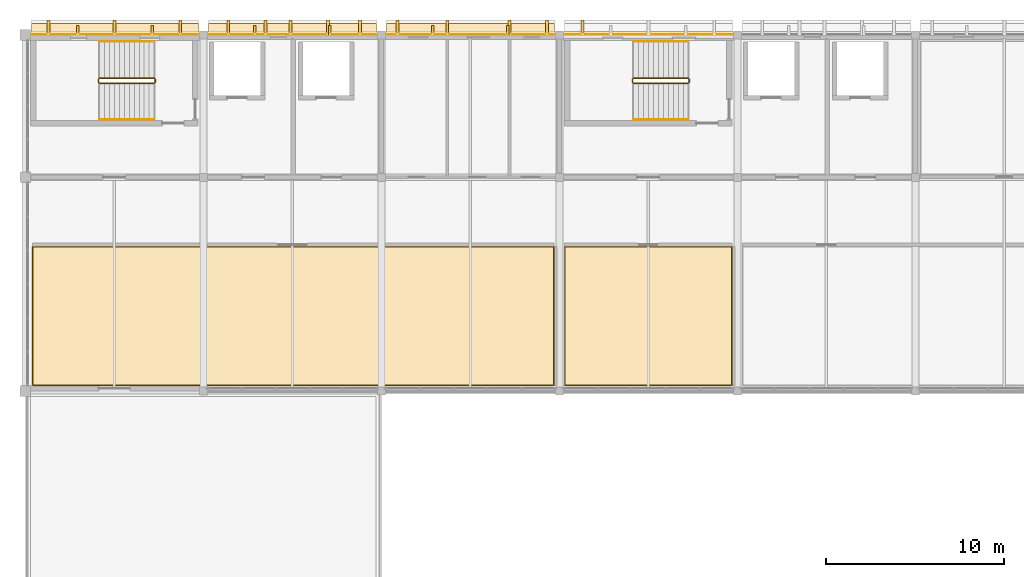
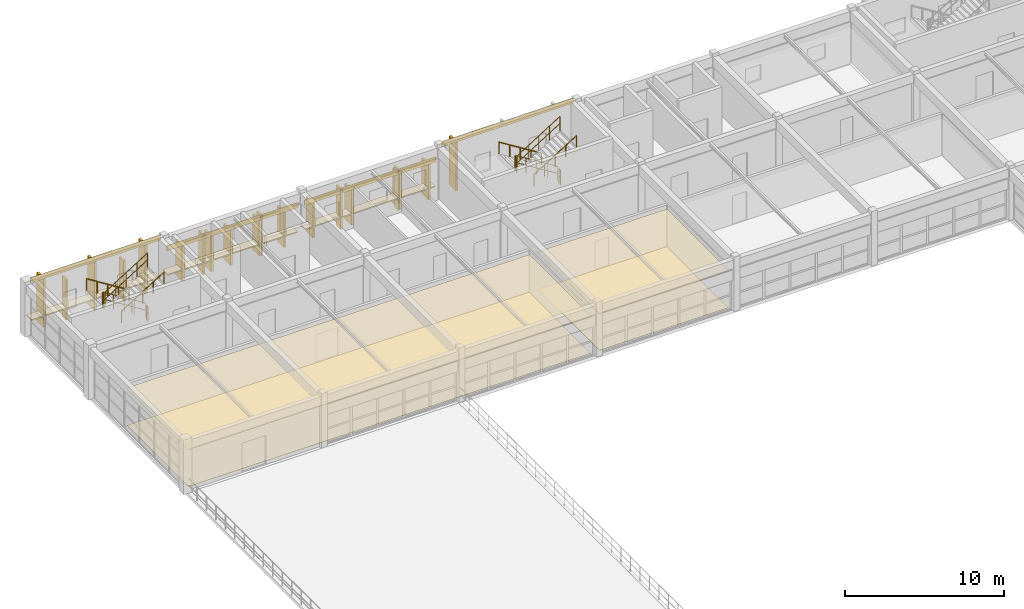
# One storey, part 19 of 21: 24 coverings, 12 railings, 6 shading devices.
"""IFC4 building model written with IfcOpenShell, lengths in metres."""

from ifc_helpers import new_model, si_unit, direction, frame, frame_2d, origin, origin_2d, place, context, subcontext, project, spatial, polyline, rectangle, circle, outline, extrude, material, layer, layer_set, type_object, element, save


model = new_model("IFC4")

# Units and contexts
model_context = context("Model", 3, precision=1e-05, world=origin(), true_north=direction((0.0, 1.0)))
body_context = subcontext(model_context, "Body", "Model", "MODEL_VIEW")
ifc_project = project(units=[si_unit("LENGTHUNIT", "METRE"), si_unit("AREAUNIT", "SQUARE_METRE"), si_unit("VOLUMEUNIT", "CUBIC_METRE"), si_unit("PLANEANGLEUNIT", "RADIAN"), si_unit("MASSUNIT", "GRAM", prefix="KILO")], contexts=[model_context])

# Site, building, storey
site_placement = place(None, origin())
site = spatial("IfcSite", under=ifc_project, at=site_placement, CompositionType="ELEMENT")
building_placement = place(site_placement, origin())
building = spatial("IfcBuilding", under=site, at=building_placement, Name="Kivolera Central Railway Station", CompositionType="ELEMENT")
storey_placement = place(building_placement, frame((0.0, 0.0, 22.800048828125)))
storey = spatial("IfcBuildingStorey", under=building, at=storey_placement, Name="L05", CompositionType="ELEMENT", Elevation=22.800048828125)

# Shading devices
ifc_material_1 = material(Name="Precast concrete C40/50", Category="concrete")
shading_device_type = type_object("IfcShadingDeviceType", Name="BS-FIN-UPP", PredefinedType="USERDEFINED", material=ifc_material_1)
for number, where, z_axis, x_axis, name in (
    (1, (120.950927734375, 134.26708984375, 0.0), (0.0, 0.0, 1.0), (1.0, 0.0, 0.0), "L05 North Brise-Soleil Fin 1.1"),
    (2, (125.1240234375, 134.26708984375, 0.0), (0.0, 0.0, 1.0), (1.0, 0.0, 0.0), "L05 North Brise-Soleil Fin 1.2"),
    (3, (130.89697265625, 134.26708984375, 0.0), (0.0, 0.0, 1.0), (1.0, 0.0, 0.0), "L05 North Brise-Soleil Fin 2.1"),
    (4, (135.10302734375, 134.26708984375, 0.0), (0.0, 0.0, 1.0), (1.0, 0.0, 0.0), "L05 North Brise-Soleil Fin 2.2"),
    (5, (140.89697265625, 134.26708984375, 0.0), (0.0, 0.0, 1.0), (1.0, 0.0, 0.0), "L05 North Brise-Soleil Fin 3.1"),
    (6, (145.10302734375, 134.26708984375, 0.0), (0.0, 0.0, 1.0), (1.0, 0.0, 0.0), "L05 North Brise-Soleil Fin 3.2"),
):
    element("IfcShadingDevice", number, at=place(storey_placement, frame(where, z_axis=z_axis, x_axis=x_axis)), inside=storey, type_object=shading_device_type, Name=name, ObjectType="FIN", PredefinedType="USERDEFINED", context=body_context, shape_type="SweptSolid", body=[
        extrude(rectangle(XDim=0.139892578125, YDim=0.550048828125, at=origin_2d()), origin(), (0.0, 0.0, 1.0), 3.10009765625),
    ])

# Coverings
ifc_material_2 = material(Name="Hardwood mvule timber", Category="wood")
ifc_layer_1 = layer(ifc_material_2, 0.02490234375, Name="Hardwood mvule timber")
ifc_layer_set_1 = layer_set([ifc_layer_1], Name="Hardwood mvule timber")
covering_type_1 = type_object("IfcCoveringType", Name="COV-CEIL-25", PredefinedType="CEILING", material=ifc_layer_set_1)
covering_1_placement = place(storey_placement, frame((0.0, 0.0, 2.849853515625)))
element("IfcCovering", 7, at=covering_1_placement, inside=storey, type_object=covering_type_1, Name="L05 Station Staff Canteen and Mess Cafe Acoustic Ceiling", PredefinedType="CEILING", context=body_context, shape_type="SweptSolid", body=[
    extrude(outline(polyline([(118.3798828125, 114.280029296875), (147.719970703125, 114.280029296875), (147.719970703125, 122.1201171875), (118.3798828125, 122.1201171875), (118.3798828125, 114.280029296875)])), origin(), (0.0, 0.0, 1.0), 0.025146484375),
])
ifc_material_3 = material(Name="Mineral fibre acoustic tile")
ifc_layer_2 = layer(ifc_material_3, 0.030029296875, Name="Mineral fibre acoustic tile")
ifc_layer_set_2 = layer_set([ifc_layer_2], Name="Mineral fibre acoustic tile")
covering_type_2 = type_object("IfcCoveringType", Name="COV-CEIL-30", PredefinedType="CEILING", material=ifc_layer_set_2)
covering_2_placement = place(storey_placement, frame((0.0, 0.0, 2.849853515625)))
element("IfcCovering", 8, at=covering_2_placement, inside=storey, type_object=covering_type_2, Name="L05 Staff Canteen Culinary Studio Acoustic Ceiling", PredefinedType="CEILING", context=body_context, shape_type="SweptSolid", body=[
    extrude(outline(polyline([(148.280029296875, 114.280029296875), (157.719970703125, 114.280029296875), (157.719970703125, 122.1201171875), (148.280029296875, 122.1201171875), (148.280029296875, 114.280029296875)])), origin(), (0.0, 0.0, 1.0), 0.030029296875),
])
ifc_layer_3 = layer(ifc_material_1, 0.090087890625, Name="Precast concrete C40/50")
ifc_layer_set_3 = layer_set([ifc_layer_3], Name="Precast concrete C40/50")
covering_type_3 = type_object("IfcCoveringType", Name="COV-CLAUSTRA-90", PredefinedType="CLADDING", material=ifc_layer_set_3)
covering_3_placement = place(storey_placement, frame((123.037109375, 134.31298828125, 0.85498046875), z_axis=(0.0, 0.0, 1.0), x_axis=(1.0, 0.0, 0.0)))
element("IfcCovering", 9, at=covering_3_placement, inside=storey, type_object=covering_type_3, Name="L05 North Precast Egg-Crate Sill Shelf 1", PredefinedType="CLADDING", context=body_context, shape_type="SweptSolid", body=[
    extrude(rectangle(XDim=9.364990234375, YDim=0.64990234375, at=origin_2d()), origin(), (0.0, 0.0, 1.0), 0.090087890625),
])
for number, where, z_axis, x_axis, name in (
    (10, (133.0, 134.31298828125, 0.85498046875), (0.0, 0.0, 1.0), (1.0, 0.0, 0.0), "L05 North Precast Egg-Crate Sill Shelf 2"),
    (11, (143.0, 134.31298828125, 0.85498046875), (0.0, 0.0, 1.0), (1.0, 0.0, 0.0), "L05 North Precast Egg-Crate Sill Shelf 3"),
):
    element("IfcCovering", number, at=place(storey_placement, frame(where, z_axis=z_axis, x_axis=x_axis)), inside=storey, type_object=covering_type_3, Name=name, PredefinedType="CLADDING", context=body_context, shape_type="SweptSolid", body=[
        extrude(rectangle(XDim=9.43994140625, YDim=0.64990234375, at=origin_2d()), origin(), (0.0, 0.0, 1.0), 0.090087890625),
    ])
ifc_material_4 = material(Name="Swahili coral limestone", Category="masonry")
ifc_layer_4 = layer(ifc_material_4, 0.159912109375, Name="Swahili coral limestone")
ifc_layer_set_4 = layer_set([ifc_layer_4], Name="Swahili coral limestone")
covering_type_4 = type_object("IfcCoveringType", Name="COV-EGGFIN-160", PredefinedType="CLADDING", material=ifc_layer_set_4)
for number, where, z_axis, x_axis, name in (
    (12, (119.300048828125, 134.4130859375, 0.0400390625), (0.0, 0.0, 1.0), (1.0, 0.0, 0.0), "L05 North Afro-Modernist Coral-Stone Sun-Fin 1.1"),
    (13, (123.0, 134.4130859375, 0.0400390625), (0.0, 0.0, 1.0), (1.0, 0.0, 0.0), "L05 North Afro-Modernist Coral-Stone Sun-Fin 1.2"),
    (14, (126.699951171875, 134.4130859375, 0.0400390625), (0.0, 0.0, 1.0), (1.0, 0.0, 0.0), "L05 North Afro-Modernist Coral-Stone Sun-Fin 1.3"),
):
    element("IfcCovering", number, at=place(storey_placement, frame(where, z_axis=z_axis, x_axis=x_axis)), inside=storey, type_object=covering_type_4, Name=name, PredefinedType="CLADDING", context=body_context, shape_type="SweptSolid", body=[
        extrude(rectangle(XDim=0.159912109375, YDim=0.85009765625, at=origin_2d()), origin(), (0.0, 0.0, 1.0), 3.719970703125),
    ])
for number, where, z_axis, x_axis, name in (
    (15, (129.39990234375, 134.4130859375, 0.0400390625), (0.0, 0.0, 1.0), (1.0, 0.0, 0.0), "L05 North Afro-Modernist Coral-Stone Sun-Fin 2.1"),
    (16, (131.5, 134.4130859375, 0.0400390625), (0.0, 0.0, 1.0), (1.0, 0.0, 0.0), "L05 North Afro-Modernist Coral-Stone Sun-Fin 2.2"),
    (17, (132.89990234375, 134.4130859375, 0.0400390625), (0.0, 0.0, 1.0), (1.0, 0.0, 0.0), "L05 North Afro-Modernist Coral-Stone Sun-Fin 2.3"),
    (18, (135.0, 134.4130859375, 0.0400390625), (0.0, 0.0, 1.0), (1.0, 0.0, 0.0), "L05 North Afro-Modernist Coral-Stone Sun-Fin 2.4"),
    (19, (136.800048828125, 134.4130859375, 0.0400390625), (0.0, 0.0, 1.0), (1.0, 0.0, 0.0), "L05 North Afro-Modernist Coral-Stone Sun-Fin 2.5"),
    (20, (138.89990234375, 134.4130859375, 0.0400390625), (0.0, 0.0, 1.0), (1.0, 0.0, 0.0), "L05 North Afro-Modernist Coral-Stone Sun-Fin 3.1"),
    (21, (141.699951171875, 134.4130859375, 0.0400390625), (0.0, 0.0, 1.0), (1.0, 0.0, 0.0), "L05 North Afro-Modernist Coral-Stone Sun-Fin 3.2"),
    (22, (145.199951171875, 134.4130859375, 0.0400390625), (0.0, 0.0, 1.0), (1.0, 0.0, 0.0), "L05 North Afro-Modernist Coral-Stone Sun-Fin 3.3"),
    (23, (147.300048828125, 134.4130859375, 0.0400390625), (0.0, 0.0, 1.0), (1.0, 0.0, 0.0), "L05 North Afro-Modernist Coral-Stone Sun-Fin 3.4"),
):
    element("IfcCovering", number, at=place(storey_placement, frame(where, z_axis=z_axis, x_axis=x_axis)), inside=storey, type_object=covering_type_4, Name=name, PredefinedType="CLADDING", context=body_context, shape_type="SweptSolid", body=[
        extrude(rectangle(XDim=0.159912109375, YDim=0.85009765625, at=origin_2d()), origin(), (0.0, 0.0, 1.0), 2.7080078125),
    ])
covering_4_placement = place(storey_placement, frame((149.300048828125, 134.4130859375, 0.0400390625), z_axis=(0.0, 0.0, 1.0), x_axis=(1.0, 0.0, 0.0)))
element("IfcCovering", 24, at=covering_4_placement, inside=storey, type_object=covering_type_4, Name="L05 North Afro-Modernist Coral-Stone Sun-Fin 4.1", PredefinedType="CLADDING", context=body_context, shape_type="SweptSolid", body=[
    extrude(rectangle(XDim=0.159912109375, YDim=0.85009765625, at=origin_2d()), origin(), (0.0, 0.0, 1.0), 3.719970703125),
])
ifc_material_5 = material(Name="Terracotta clay tile", Category="masonry")
ifc_layer_5 = layer(ifc_material_5, 0.02197265625, Name="Terracotta clay tile")
ifc_layer_set_5 = layer_set([ifc_layer_5], Name="Terracotta clay tile")
covering_type_5 = type_object("IfcCoveringType", Name="COV-FLR-22", PredefinedType="FLOORING", material=ifc_layer_set_5)
covering_5_placement = place(storey_placement, origin())
element("IfcCovering", 25, at=covering_5_placement, inside=storey, type_object=covering_type_5, Name="L05 Station Staff Canteen and Mess Cafe Floor Finish", PredefinedType="FLOORING", context=body_context, shape_type="SweptSolid", body=[
    extrude(outline(polyline([(118.419921875, 114.320068359375), (147.679931640625, 114.320068359375), (147.679931640625, 122.080078125), (118.419921875, 122.080078125), (118.419921875, 114.320068359375)])), origin(), (0.0, 0.0, 1.0), 0.02197265625),
])
covering_6_placement = place(storey_placement, origin())
element("IfcCovering", 26, at=covering_6_placement, inside=storey, type_object=covering_type_5, Name="L05 Staff Canteen Culinary Studio Floor Finish", PredefinedType="FLOORING", context=body_context, shape_type="SweptSolid", body=[
    extrude(outline(polyline([(148.320068359375, 114.320068359375), (157.679931640625, 114.320068359375), (157.679931640625, 122.080078125), (148.320068359375, 122.080078125), (148.320068359375, 114.320068359375)])), origin(), (0.0, 0.0, 1.0), 0.02197265625),
])
ifc_layer_6 = layer(ifc_material_5, 0.044921875, Name="Terracotta clay tile")
ifc_layer_set_6 = layer_set([ifc_layer_6], Name="Terracotta clay tile")
covering_type_6 = type_object("IfcCoveringType", Name="COV-TERRACOTTA-45", PredefinedType="CLADDING", material=ifc_layer_set_6)
covering_7_placement = place(storey_placement, frame((118.294921875, 134.02001953125, 3.77001953125), z_axis=(0.0, 0.0, 1.0), x_axis=(1.0, 0.0, 0.0)))
element("IfcCovering", 27, at=covering_7_placement, inside=storey, type_object=covering_type_6, Name="L05 North Terracotta Spandrel 1", PredefinedType="CLADDING", context=body_context, shape_type="SweptSolid", body=[
    extrude(rectangle(XDim=9.485107421875, YDim=0.044921875, at=frame_2d((4.74267578125, 0.0))), origin(), (0.0, 0.0, 1.0), 0.39990234375),
])
for number, where, z_axis, x_axis, name in (
    (28, (128.219970703125, 134.02001953125, 2.758056640625), (0.0, 0.0, 1.0), (1.0, 0.0, 0.0), "L05 North Terracotta Spandrel 2"),
    (29, (138.219970703125, 134.02001953125, 2.758056640625), (0.0, 0.0, 1.0), (1.0, 0.0, 0.0), "L05 North Terracotta Spandrel 3"),
    (30, (148.219970703125, 134.02001953125, 3.77001953125), (0.0, 0.0, 1.0), (1.0, 0.0, 0.0), "L05 North Terracotta Spandrel 4"),
):
    element("IfcCovering", number, at=place(storey_placement, frame(where, z_axis=z_axis, x_axis=x_axis)), inside=storey, type_object=covering_type_6, Name=name, PredefinedType="CLADDING", context=body_context, shape_type="SweptSolid", body=[
        extrude(rectangle(XDim=9.56005859375, YDim=0.044921875, at=frame_2d((4.780029296875, 0.0))), origin(), (0.0, 0.0, 1.0), 0.39990234375),
    ])

# Railings
ifc_material_6 = material(Name="Anodised aluminium", Category="aluminium")
ifc_layer_7 = layer(ifc_material_6, 0.048095703125, Name="Anodised aluminium")
ifc_layer_set_7 = layer_set([ifc_layer_7], Name="Anodised aluminium")
railing_type_1 = type_object("IfcRailingType", Name="RL-STAIR-GUARD", PredefinedType="GUARDRAIL", material=ifc_layer_set_7)
railing_1_placement = place(storey_placement, frame((125.239990234375, 131.570068359375, 0.175048828125)))
element("IfcRailing", 31, at=railing_1_placement, inside=storey, type_object=railing_type_1, Name="L05 ST1 stair guard 1", PredefinedType="GUARDRAIL", context=body_context, shape_type="SweptSolid", body=[
    extrude(circle(Radius=0.02392578125, at=origin_2d()), frame((0.0, 0.0, 1.10595703125), z_axis=(-0.848028513186, 0.0, 0.529950602248), x_axis=(0.0, -1.0, 0.0)), (0.0, 0.0, 1.0), 3.632080078125),
    extrude(circle(Radius=0.02392578125, at=origin_2d()), frame((0.0, 0.0, 0.56494140625), z_axis=(-0.848028513186, 0.0, 0.529950602248), x_axis=(0.0, -1.0, 0.0)), (0.0, 0.0, 1.0), 3.632080078125),
    extrude(circle(Radius=0.02099609375, at=origin_2d()), origin(), (0.0, 0.0, 1.0), 1.081787109375),
    extrude(circle(Radius=0.02099609375, at=origin_2d()), frame((-0.77001953125, 0.0, 0.481201171875)), (0.0, 0.0, 1.0), 1.081787109375),
    extrude(circle(Radius=0.02099609375, at=origin_2d()), frame((-1.5400390625, 0.0, 0.96240234375)), (0.0, 0.0, 1.0), 1.081787109375),
    extrude(circle(Radius=0.02099609375, at=origin_2d()), frame((-2.31005859375, 0.0, 1.443603515625)), (0.0, 0.0, 1.0), 1.081787109375),
    extrude(circle(Radius=0.02099609375, at=origin_2d()), frame((-3.080078125, 0.0, 1.9248046875)), (0.0, 0.0, 1.0), 1.081787109375),
])
railing_2_placement = place(storey_placement, frame((122.110107421875, 131.52001953125, 2.099853515625)))
element("IfcRailing", 32, at=railing_2_placement, inside=storey, type_object=railing_type_1, Name="L05 ST1 stair guard 2", PredefinedType="GUARDRAIL", context=body_context, shape_type="SweptSolid", body=[
    extrude(circle(Radius=0.02392578125, at=origin_2d()), frame((0.0, 0.0, 1.10595703125), z_axis=(0.0, -1.0, 0.0), x_axis=(1.0, 0.0, 0.0)), (0.0, 0.0, 1.0), 0.179931640625),
    extrude(circle(Radius=0.02392578125, at=origin_2d()), frame((0.0, 0.0, 0.56494140625), z_axis=(0.0, -1.0, 0.0), x_axis=(1.0, 0.0, 0.0)), (0.0, 0.0, 1.0), 0.179931640625),
    extrude(circle(Radius=0.02099609375, at=origin_2d()), origin(), (0.0, 0.0, 1.0), 1.081787109375),
    extrude(circle(Radius=0.02099609375, at=origin_2d()), frame((0.0, -0.179931640625, 0.0)), (0.0, 0.0, 1.0), 1.081787109375),
])
railing_3_placement = place(storey_placement, frame((122.159912109375, 131.2900390625, 2.27490234375)))
element("IfcRailing", 33, at=railing_3_placement, inside=storey, type_object=railing_type_1, Name="L05 ST1 stair guard 3", PredefinedType="GUARDRAIL", context=body_context, shape_type="SweptSolid", body=[
    extrude(circle(Radius=0.02392578125, at=origin_2d()), frame((0.0, 0.0, 1.10595703125), z_axis=(0.847998304005, 0.0, 0.529998940003), x_axis=(0.0, 1.0, 0.0)), (0.0, 0.0, 1.0), 3.632080078125),
    extrude(circle(Radius=0.02392578125, at=origin_2d()), frame((0.0, 0.0, 0.56494140625), z_axis=(0.847998304005, 0.0, 0.529998940003), x_axis=(0.0, 1.0, 0.0)), (0.0, 0.0, 1.0), 3.632080078125),
    extrude(circle(Radius=0.02099609375, at=origin_2d()), origin(), (0.0, 0.0, 1.0), 1.081787109375),
    extrude(circle(Radius=0.02099609375, at=origin_2d()), frame((0.77001953125, 0.0, 0.481201171875)), (0.0, 0.0, 1.0), 1.081787109375),
    extrude(circle(Radius=0.02099609375, at=origin_2d()), frame((1.5400390625, 0.0, 0.96240234375)), (0.0, 0.0, 1.0), 1.081787109375),
    extrude(circle(Radius=0.02099609375, at=origin_2d()), frame((2.31005859375, 0.0, 1.44384765625)), (0.0, 0.0, 1.0), 1.081787109375),
    extrude(circle(Radius=0.02099609375, at=origin_2d()), frame((3.080078125, 0.0, 1.925048828125)), (0.0, 0.0, 1.0), 1.081787109375),
])
railing_4_placement = place(storey_placement, frame((125.2900390625, 131.52001953125, 0.0)))
element("IfcRailing", 34, at=railing_4_placement, inside=storey, type_object=railing_type_1, Name="L05 ST1 stair guard 4", PredefinedType="GUARDRAIL", context=body_context, shape_type="SweptSolid", body=[
    extrude(circle(Radius=0.02392578125, at=origin_2d()), frame((0.0, 0.0, 1.10595703125), z_axis=(0.0, -1.0, 0.0), x_axis=(1.0, 0.0, 0.0)), (0.0, 0.0, 1.0), 0.179931640625),
    extrude(circle(Radius=0.02392578125, at=origin_2d()), frame((0.0, 0.0, 0.56494140625), z_axis=(0.0, -1.0, 0.0), x_axis=(1.0, 0.0, 0.0)), (0.0, 0.0, 1.0), 0.179931640625),
    extrude(circle(Radius=0.02099609375, at=origin_2d()), origin(), (0.0, 0.0, 1.0), 1.081787109375),
    extrude(circle(Radius=0.02099609375, at=origin_2d()), frame((0.0, -0.179931640625, 0.0)), (0.0, 0.0, 1.0), 1.081787109375),
])
railing_5_placement = place(storey_placement, frame((155.239990234375, 131.570068359375, 0.175048828125)))
element("IfcRailing", 35, at=railing_5_placement, inside=storey, type_object=railing_type_1, Name="L05 ST2 stair guard 1", PredefinedType="GUARDRAIL", context=body_context, shape_type="SweptSolid", body=[
    extrude(circle(Radius=0.02392578125, at=origin_2d()), frame((0.0, 0.0, 1.10595703125), z_axis=(-0.848028513186, 0.0, 0.529950602248), x_axis=(0.0, -1.0, 0.0)), (0.0, 0.0, 1.0), 3.632080078125),
    extrude(circle(Radius=0.02392578125, at=origin_2d()), frame((0.0, 0.0, 0.56494140625), z_axis=(-0.848028513186, 0.0, 0.529950602248), x_axis=(0.0, -1.0, 0.0)), (0.0, 0.0, 1.0), 3.632080078125),
    extrude(circle(Radius=0.02099609375, at=origin_2d()), origin(), (0.0, 0.0, 1.0), 1.081787109375),
    extrude(circle(Radius=0.02099609375, at=origin_2d()), frame((-0.77001953125, 0.0, 0.481201171875)), (0.0, 0.0, 1.0), 1.081787109375),
    extrude(circle(Radius=0.02099609375, at=origin_2d()), frame((-1.5400390625, 0.0, 0.96240234375)), (0.0, 0.0, 1.0), 1.081787109375),
    extrude(circle(Radius=0.02099609375, at=origin_2d()), frame((-2.31005859375, 0.0, 1.443603515625)), (0.0, 0.0, 1.0), 1.081787109375),
    extrude(circle(Radius=0.02099609375, at=origin_2d()), frame((-3.080078125, 0.0, 1.9248046875)), (0.0, 0.0, 1.0), 1.081787109375),
])
railing_6_placement = place(storey_placement, frame((152.110107421875, 131.52001953125, 2.099853515625)))
element("IfcRailing", 36, at=railing_6_placement, inside=storey, type_object=railing_type_1, Name="L05 ST2 stair guard 2", PredefinedType="GUARDRAIL", context=body_context, shape_type="SweptSolid", body=[
    extrude(circle(Radius=0.02392578125, at=origin_2d()), frame((0.0, 0.0, 1.10595703125), z_axis=(0.0, -1.0, 0.0), x_axis=(1.0, 0.0, 0.0)), (0.0, 0.0, 1.0), 0.179931640625),
    extrude(circle(Radius=0.02392578125, at=origin_2d()), frame((0.0, 0.0, 0.56494140625), z_axis=(0.0, -1.0, 0.0), x_axis=(1.0, 0.0, 0.0)), (0.0, 0.0, 1.0), 0.179931640625),
    extrude(circle(Radius=0.02099609375, at=origin_2d()), origin(), (0.0, 0.0, 1.0), 1.081787109375),
    extrude(circle(Radius=0.02099609375, at=origin_2d()), frame((0.0, -0.179931640625, 0.0)), (0.0, 0.0, 1.0), 1.081787109375),
])
railing_7_placement = place(storey_placement, frame((152.159912109375, 131.2900390625, 2.27490234375)))
element("IfcRailing", 37, at=railing_7_placement, inside=storey, type_object=railing_type_1, Name="L05 ST2 stair guard 3", PredefinedType="GUARDRAIL", context=body_context, shape_type="SweptSolid", body=[
    extrude(circle(Radius=0.02392578125, at=origin_2d()), frame((0.0, 0.0, 1.10595703125), z_axis=(0.847998304005, 0.0, 0.529998940003), x_axis=(0.0, 1.0, 0.0)), (0.0, 0.0, 1.0), 3.632080078125),
    extrude(circle(Radius=0.02392578125, at=origin_2d()), frame((0.0, 0.0, 0.56494140625), z_axis=(0.847998304005, 0.0, 0.529998940003), x_axis=(0.0, 1.0, 0.0)), (0.0, 0.0, 1.0), 3.632080078125),
    extrude(circle(Radius=0.02099609375, at=origin_2d()), origin(), (0.0, 0.0, 1.0), 1.081787109375),
    extrude(circle(Radius=0.02099609375, at=origin_2d()), frame((0.77001953125, 0.0, 0.481201171875)), (0.0, 0.0, 1.0), 1.081787109375),
    extrude(circle(Radius=0.02099609375, at=origin_2d()), frame((1.5400390625, 0.0, 0.96240234375)), (0.0, 0.0, 1.0), 1.081787109375),
    extrude(circle(Radius=0.02099609375, at=origin_2d()), frame((2.31005859375, 0.0, 1.44384765625)), (0.0, 0.0, 1.0), 1.081787109375),
    extrude(circle(Radius=0.02099609375, at=origin_2d()), frame((3.080078125, 0.0, 1.925048828125)), (0.0, 0.0, 1.0), 1.081787109375),
])
railing_8_placement = place(storey_placement, frame((155.2900390625, 131.52001953125, 0.0)))
element("IfcRailing", 38, at=railing_8_placement, inside=storey, type_object=railing_type_1, Name="L05 ST2 stair guard 4", PredefinedType="GUARDRAIL", context=body_context, shape_type="SweptSolid", body=[
    extrude(circle(Radius=0.02392578125, at=origin_2d()), frame((0.0, 0.0, 1.10595703125), z_axis=(0.0, -1.0, 0.0), x_axis=(1.0, 0.0, 0.0)), (0.0, 0.0, 1.0), 0.179931640625),
    extrude(circle(Radius=0.02392578125, at=origin_2d()), frame((0.0, 0.0, 0.56494140625), z_axis=(0.0, -1.0, 0.0), x_axis=(1.0, 0.0, 0.0)), (0.0, 0.0, 1.0), 0.179931640625),
    extrude(circle(Radius=0.02099609375, at=origin_2d()), origin(), (0.0, 0.0, 1.0), 1.081787109375),
    extrude(circle(Radius=0.02099609375, at=origin_2d()), frame((0.0, -0.179931640625, 0.0)), (0.0, 0.0, 1.0), 1.081787109375),
])
ifc_layer_8 = layer(ifc_material_6, 0.048095703125, Name="Anodised aluminium")
ifc_layer_set_8 = layer_set([ifc_layer_8], Name="Anodised aluminium")
railing_type_2 = type_object("IfcRailingType", Name="RL-STAIR-HAND", PredefinedType="HANDRAIL", material=ifc_layer_set_8)
railing_9_placement = place(storey_placement, frame((125.239990234375, 133.6298828125, 0.175048828125)))
element("IfcRailing", 39, at=railing_9_placement, inside=storey, type_object=railing_type_2, Name="L05 ST1 stair handrail 1", PredefinedType="HANDRAIL", context=body_context, shape_type="SweptSolid", body=[
    extrude(circle(Radius=0.02392578125, at=origin_2d()), frame((0.0, 0.0, 0.8759765625), z_axis=(-0.848028513186, 0.0, 0.529950602248), x_axis=(0.0, -1.0, 0.0)), (0.0, 0.0, 1.0), 3.632080078125),
    extrude(circle(Radius=0.02099609375, at=origin_2d()), origin(), (0.0, 0.0, 1.0), 0.851806640625),
    extrude(circle(Radius=0.02099609375, at=origin_2d()), frame((-0.77001953125, 0.0, 0.481201171875)), (0.0, 0.0, 1.0), 0.851806640625),
    extrude(circle(Radius=0.02099609375, at=origin_2d()), frame((-1.5400390625, 0.0, 0.96240234375)), (0.0, 0.0, 1.0), 0.851806640625),
    extrude(circle(Radius=0.02099609375, at=origin_2d()), frame((-2.31005859375, 0.0, 1.443603515625)), (0.0, 0.0, 1.0), 0.851806640625),
    extrude(circle(Radius=0.02099609375, at=origin_2d()), frame((-3.080078125, 0.0, 1.9248046875)), (0.0, 0.0, 1.0), 0.851806640625),
])
railing_10_placement = place(storey_placement, frame((122.159912109375, 129.22998046875, 2.27490234375)))
element("IfcRailing", 40, at=railing_10_placement, inside=storey, type_object=railing_type_2, Name="L05 ST1 stair handrail 2", PredefinedType="HANDRAIL", context=body_context, shape_type="SweptSolid", body=[
    extrude(circle(Radius=0.02392578125, at=origin_2d()), frame((0.0, 0.0, 0.8759765625), z_axis=(0.847998304005, 0.0, 0.529998940003), x_axis=(0.0, 1.0, 0.0)), (0.0, 0.0, 1.0), 3.632080078125),
    extrude(circle(Radius=0.02099609375, at=origin_2d()), origin(), (0.0, 0.0, 1.0), 0.851806640625),
    extrude(circle(Radius=0.02099609375, at=origin_2d()), frame((0.77001953125, 0.0, 0.481201171875)), (0.0, 0.0, 1.0), 0.851806640625),
    extrude(circle(Radius=0.02099609375, at=origin_2d()), frame((1.5400390625, 0.0, 0.96240234375)), (0.0, 0.0, 1.0), 0.851806640625),
    extrude(circle(Radius=0.02099609375, at=origin_2d()), frame((2.31005859375, 0.0, 1.44384765625)), (0.0, 0.0, 1.0), 0.851806640625),
    extrude(circle(Radius=0.02099609375, at=origin_2d()), frame((3.080078125, 0.0, 1.925048828125)), (0.0, 0.0, 1.0), 0.851806640625),
])
railing_11_placement = place(storey_placement, frame((155.239990234375, 133.6298828125, 0.175048828125)))
element("IfcRailing", 41, at=railing_11_placement, inside=storey, type_object=railing_type_2, Name="L05 ST2 stair handrail 1", PredefinedType="HANDRAIL", context=body_context, shape_type="SweptSolid", body=[
    extrude(circle(Radius=0.02392578125, at=origin_2d()), frame((0.0, 0.0, 0.8759765625), z_axis=(-0.848028513186, 0.0, 0.529950602248), x_axis=(0.0, -1.0, 0.0)), (0.0, 0.0, 1.0), 3.632080078125),
    extrude(circle(Radius=0.02099609375, at=origin_2d()), origin(), (0.0, 0.0, 1.0), 0.851806640625),
    extrude(circle(Radius=0.02099609375, at=origin_2d()), frame((-0.77001953125, 0.0, 0.481201171875)), (0.0, 0.0, 1.0), 0.851806640625),
    extrude(circle(Radius=0.02099609375, at=origin_2d()), frame((-1.5400390625, 0.0, 0.96240234375)), (0.0, 0.0, 1.0), 0.851806640625),
    extrude(circle(Radius=0.02099609375, at=origin_2d()), frame((-2.31005859375, 0.0, 1.443603515625)), (0.0, 0.0, 1.0), 0.851806640625),
    extrude(circle(Radius=0.02099609375, at=origin_2d()), frame((-3.080078125, 0.0, 1.9248046875)), (0.0, 0.0, 1.0), 0.851806640625),
])
railing_12_placement = place(storey_placement, frame((152.159912109375, 129.22998046875, 2.27490234375)))
element("IfcRailing", 42, at=railing_12_placement, inside=storey, type_object=railing_type_2, Name="L05 ST2 stair handrail 2", PredefinedType="HANDRAIL", context=body_context, shape_type="SweptSolid", body=[
    extrude(circle(Radius=0.02392578125, at=origin_2d()), frame((0.0, 0.0, 0.8759765625), z_axis=(0.847998304005, 0.0, 0.529998940003), x_axis=(0.0, 1.0, 0.0)), (0.0, 0.0, 1.0), 3.632080078125),
    extrude(circle(Radius=0.02099609375, at=origin_2d()), origin(), (0.0, 0.0, 1.0), 0.851806640625),
    extrude(circle(Radius=0.02099609375, at=origin_2d()), frame((0.77001953125, 0.0, 0.481201171875)), (0.0, 0.0, 1.0), 0.851806640625),
    extrude(circle(Radius=0.02099609375, at=origin_2d()), frame((1.5400390625, 0.0, 0.96240234375)), (0.0, 0.0, 1.0), 0.851806640625),
    extrude(circle(Radius=0.02099609375, at=origin_2d()), frame((2.31005859375, 0.0, 1.44384765625)), (0.0, 0.0, 1.0), 0.851806640625),
    extrude(circle(Radius=0.02099609375, at=origin_2d()), frame((3.080078125, 0.0, 1.925048828125)), (0.0, 0.0, 1.0), 0.851806640625),
])

save(model, "model.ifc")
